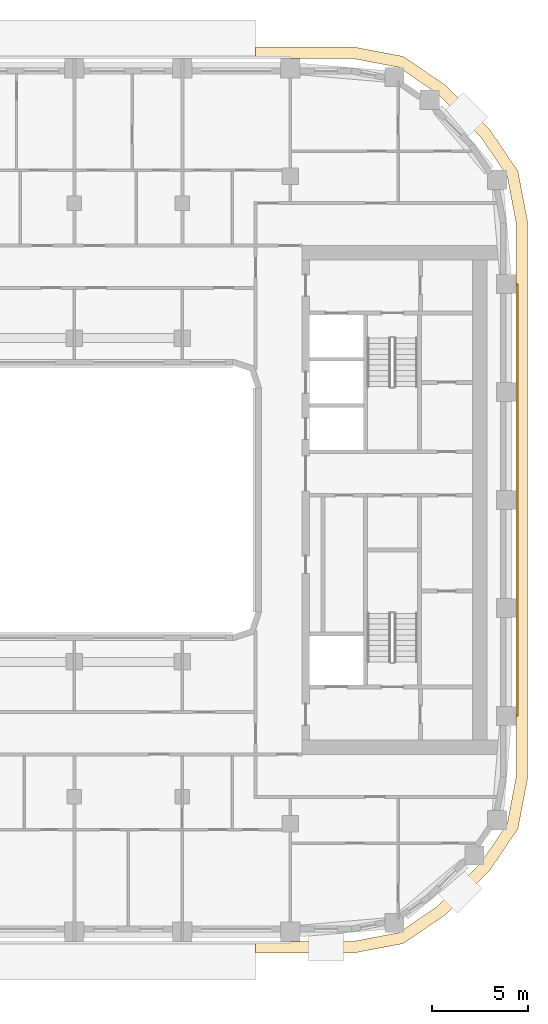
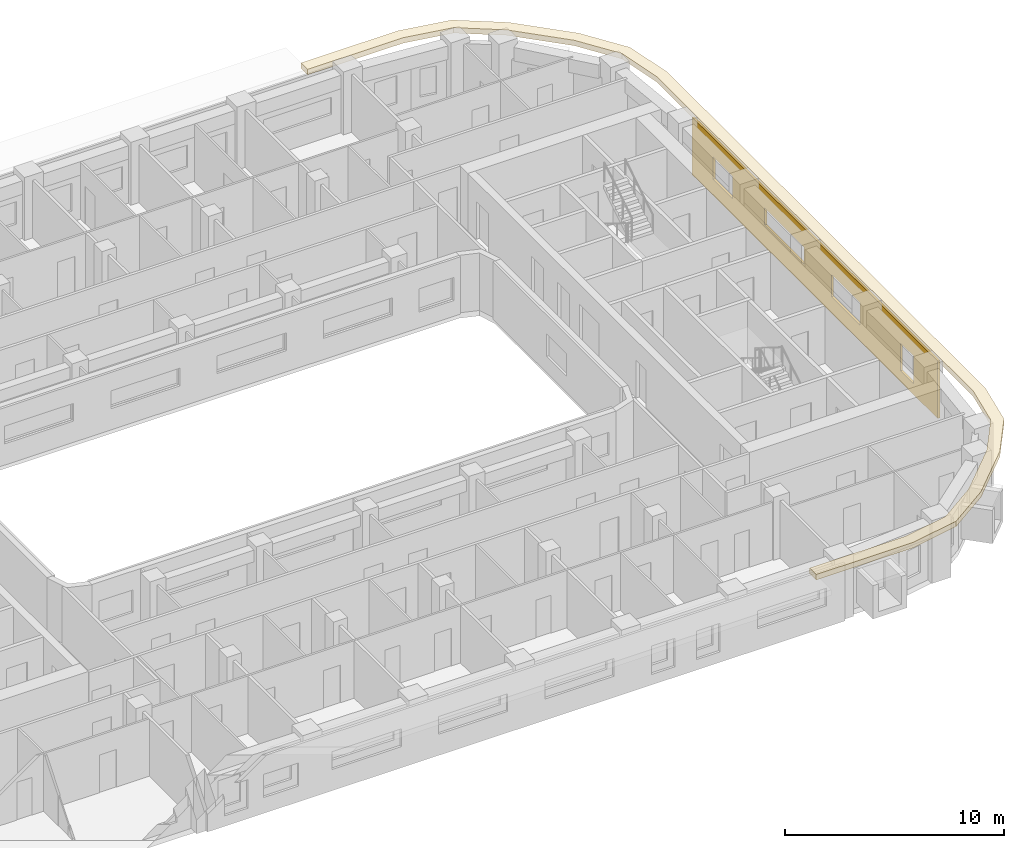
# One storey, part 18 of 22: 2 coverings.
"""IFC4 building model written with IfcOpenShell, lengths in metres."""

import ifcopenshell
import ifcopenshell.guid

model = None  # the IFC model being written
_history = None  # IfcOwnerHistory: only IFC2X3 demands one
_inside = {}  # id of a spatial element -> (the spatial element, [elements in it])
_under = {}  # id of a project, library or spatial element -> (it, [spatial elements below it])
_declared = {}  # id of a project -> (the project, [libraries it declares])
_typed = {}  # id of a type object -> (the type object, [elements of that type])
_made_of = {}  # id of a material, layer set ... -> (it, [elements and type objects made of it])


def new_model(schema):
    """Start an empty IFC model of exactly this schema.

    Asked for "IFC4X3", IfcOpenShell would pick the latest addendum, in which some entities
    have other attributes; the version numbers below select the first issue.
    IFC2X3 requires an IfcOwnerHistory on every rooted entity: one is made here for all.
    """
    global model, _history
    if schema == "IFC4X3":
        model = ifcopenshell.file(schema_version=(4, 3, 0, 0))
    else:
        model = ifcopenshell.file(schema=schema)
    _inside.clear()
    _under.clear()
    _declared.clear()
    _typed.clear()
    _made_of.clear()
    _history = None
    if model.schema == "IFC2X3":
        org = make("IfcOrganization", Name="unknown")
        user = make(
            "IfcPersonAndOrganization",
            ThePerson=make("IfcPerson", FamilyName="unknown"),
            TheOrganization=org,
        )
        app = make(
            "IfcApplication",
            ApplicationDeveloper=org,
            Version="unknown",
            ApplicationFullName="unknown",
            ApplicationIdentifier="unknown",
        )
        _history = make(
            "IfcOwnerHistory",
            OwningUser=user,
            OwningApplication=app,
            ChangeAction="ADDED",
            CreationDate=0,
        )
    return model


def make(cls, **values):
    """One entity of the class cls with the attributes given. An attribute that is None is left unset."""
    return model.create_entity(
        cls, **{name: value for name, value in values.items() if value is not None}
    )


def rooted(cls, **values):
    """An entity with a GlobalId (a new one), such as an element, a storey or a relation."""
    return make(cls, GlobalId=ifcopenshell.guid.new(), OwnerHistory=_history, **values)


def si_unit(unit_type, name, prefix=None):
    """IfcSIUnit, for example si_unit("LENGTHUNIT", "METRE", prefix="MILLI")."""
    return make("IfcSIUnit", UnitType=unit_type, Prefix=prefix, Name=name)


def assignment(units):
    """IfcUnitAssignment: the units of a project."""
    return None if units is None else make("IfcUnitAssignment", Units=units)


def point(xyz):
    """IfcCartesianPoint."""
    return None if xyz is None else make("IfcCartesianPoint", Coordinates=xyz)


def direction(xyz):
    """IfcDirection."""
    return None if xyz is None else make("IfcDirection", DirectionRatios=xyz)


def frame(location, z_axis=None, x_axis=None):
    """IfcAxis2Placement3D, a coordinate frame: its origin and axes. An axis left out is left unset."""
    return make(
        "IfcAxis2Placement3D",
        Location=point(location),
        Axis=direction(z_axis),
        RefDirection=direction(x_axis),
    )


def origin():
    """The frame at (0, 0, 0) with its axes left unset."""
    return frame((0.0, 0.0, 0.0))


def place(relative_to, where):
    """IfcLocalPlacement: puts the frame where relative to a parent placement (None: the world)."""
    return make(
        "IfcLocalPlacement", PlacementRelTo=relative_to, RelativePlacement=where
    )


def context(
    kind, dimensions, precision=None, world=None, true_north=None, identifier=None
):
    """IfcGeometricRepresentationContext, for example the 3D "Model" context."""
    return make(
        "IfcGeometricRepresentationContext",
        ContextIdentifier=identifier,
        ContextType=kind,
        CoordinateSpaceDimension=dimensions,
        Precision=precision,
        WorldCoordinateSystem=world,
        TrueNorth=true_north,
    )


def subcontext(parent, identifier, kind, view, scale=None):
    """IfcGeometricRepresentationSubContext, for example "Body" below "Model"."""
    return make(
        "IfcGeometricRepresentationSubContext",
        ContextIdentifier=identifier,
        ContextType=kind,
        ParentContext=parent,
        TargetScale=scale,
        TargetView=view,
    )


def project(units=None, contexts=None):
    """IfcProject with its units and contexts."""
    return rooted(
        "IfcProject",
        Name="project",
        RepresentationContexts=contexts,
        UnitsInContext=assignment(units),
    )


def spatial(cls, under=None, at=None, **own):
    """A site, building, storey or space (cls), placed at a placement, below another one or the project."""
    s = rooted(cls, ObjectPlacement=at, **own)
    if under is not None:
        _under.setdefault(under.id(), (under, []))[1].append(s)
    return s


def polyline(points):
    """IfcPolyline through the points."""
    return make("IfcPolyline", Points=[point(p) for p in points])


def outline(outer, holes=None, kind="AREA"):
    """IfcArbitraryClosedProfileDef: a profile drawn as a closed curve; with holes, ...WithVoids."""
    if holes is None:
        return make("IfcArbitraryClosedProfileDef", ProfileType=kind, OuterCurve=outer)
    return make(
        "IfcArbitraryProfileDefWithVoids",
        ProfileType=kind,
        OuterCurve=outer,
        InnerCurves=holes,
    )


def extrude(swept, where, along, depth):
    """IfcExtrudedAreaSolid: the profile swept, set in the frame where, extruded along a direction by depth."""
    return make(
        "IfcExtrudedAreaSolid",
        SweptArea=swept,
        Position=where,
        ExtrudedDirection=direction(along),
        Depth=depth,
    )


def shape(context_of_items, identifier, shape_type, items):
    """IfcShapeRepresentation: the items that make up one representation, for example the "Body"."""
    return make(
        "IfcShapeRepresentation",
        ContextOfItems=context_of_items,
        RepresentationIdentifier=identifier,
        RepresentationType=shape_type,
        Items=items,
    )


def material(Name=None, Category=None):
    """IfcMaterial."""
    return make("IfcMaterial", Name=Name, Category=Category)


def layer(
    of_material, thickness, ventilated=None, Name=None, Category=None, Priority=None
):
    """IfcMaterialLayer: one layer of a wall or slab, of a material (None: an air gap)."""
    return make(
        "IfcMaterialLayer",
        Material=of_material,
        LayerThickness=thickness,
        IsVentilated=ventilated,
        Name=Name,
        Category=Category,
        Priority=Priority,
    )


def layer_set(layers, Name=None):
    """IfcMaterialLayerSet."""
    return make("IfcMaterialLayerSet", MaterialLayers=layers, LayerSetName=Name)


def made_of(thing, what):
    """Note that an element or type object is made of a material, layer set ...; save() writes the relation."""
    if what is not None:
        _made_of.setdefault(what.id(), (what, []))[1].append(thing)
    return thing


def type_object(cls, material=None, **own):
    """A type object (cls), such as IfcWallType, which elements share."""
    return made_of(rooted(cls, **own), material)


def element(
    cls,
    number,
    at=None,
    inside=None,
    cuts=None,
    type_object=None,
    material=None,
    context=None,
    identifier="Body",
    shape_type=None,
    held_by="IfcProductDefinitionShape",
    body=None,
    shapes=None,
    **own,
):
    """One element of the class cls, such as IfcWall. Its Tag is "e" and its number.

    at: its placement. inside: the storey or other place that contains it. cuts: it is an
    opening in that element (IfcRelVoidsElement). A single representation is given by context,
    identifier, shape_type and body (its items); several are given by shapes. held_by: the class
    of the entity that holds the representations. save() writes the other relations.
    """
    e = rooted(cls, Tag="e%d" % number, ObjectPlacement=at, **own)
    if body is not None:
        shapes = [shape(context, identifier, shape_type, body)]
    if shapes is not None:
        e.Representation = make(held_by, Representations=shapes)
    if inside is not None:
        _inside.setdefault(inside.id(), (inside, []))[1].append(e)
    if cuts is not None:
        rooted(
            "IfcRelVoidsElement", RelatingBuildingElement=cuts, RelatedOpeningElement=e
        )
    if type_object is not None:
        _typed.setdefault(type_object.id(), (type_object, []))[1].append(e)
    return made_of(e, material)


def aggregate(whole, parts):
    """IfcRelAggregates: a whole, such as a stair, and the parts it consists of."""
    return rooted("IfcRelAggregates", RelatingObject=whole, RelatedObjects=parts)


def save(model, path):
    """Write the relations noted so far, then the file.

    IfcRelAggregates (storeys below a building ...), IfcRelContainedInSpatialStructure (elements
    in a storey), IfcRelDefinesByType, IfcRelAssociatesMaterial and IfcRelDeclares: one each for
    every whole, place, type object, material and project.
    """
    for whole, parts in _under.values():
        aggregate(whole, parts)
    for where, things in _inside.values():
        rooted(
            "IfcRelContainedInSpatialStructure",
            RelatedElements=things,
            RelatingStructure=where,
        )
    for kind, things in _typed.values():
        rooted("IfcRelDefinesByType", RelatedObjects=things, RelatingType=kind)
    for what, things in _made_of.values():
        rooted("IfcRelAssociatesMaterial", RelatedObjects=things, RelatingMaterial=what)
    for by, libraries in _declared.values():
        rooted("IfcRelDeclares", RelatingContext=by, RelatedDefinitions=libraries)
    model.write(path)


model = new_model("IFC4")

# Units and contexts
model_context = context("Model", 3, precision=1e-05, world=origin(), true_north=direction((0.0, 1.0)))
body_context = subcontext(model_context, "Body", "Model", "MODEL_VIEW")
ifc_project = project(units=[si_unit("LENGTHUNIT", "METRE"), si_unit("AREAUNIT", "SQUARE_METRE"), si_unit("VOLUMEUNIT", "CUBIC_METRE"), si_unit("PLANEANGLEUNIT", "RADIAN"), si_unit("MASSUNIT", "GRAM", prefix="KILO")], contexts=[model_context])

# Site, building, storey
site_placement = place(None, origin())
site = spatial("IfcSite", under=ifc_project, at=site_placement, CompositionType="ELEMENT")
building_placement = place(site_placement, origin())
building = spatial("IfcBuilding", under=site, at=building_placement, Name="Kiln Ring Residences", CompositionType="ELEMENT")
storey_placement = place(building_placement, frame((0.0, 0.0, 164.10009765625)))
storey = spatial("IfcBuildingStorey", under=building, at=storey_placement, Name="L42", CompositionType="ELEMENT", Elevation=164.10009765625)

# Coverings
ifc_material_1 = material(Name="Brick masonry, dark clay brick", Category="masonry")
ifc_layer_1 = layer(ifc_material_1, 0.1201171875)
ifc_layer_set_1 = layer_set([ifc_layer_1], Name="RAINSCREEN PANEL 120")
covering_type_1 = type_object("IfcCoveringType", Name="RAINSCREEN PANEL 120", PredefinedType="CLADDING", material=ifc_layer_set_1)
covering_1_placement = place(storey_placement, frame((28.56005859375, -11.199951171875, 0.0), z_axis=(0.0, 0.0, 1.0), x_axis=(0.0, 1.0, 0.0)))
element("IfcCovering", 1, at=covering_1_placement, inside=storey, type_object=covering_type_1, Name="RAINSCREEN L42", PredefinedType="CLADDING", context=body_context, shape_type="SweptSolid", body=[
    extrude(outline(polyline([(0.0, 0.0), (22.39990234375, 0.0), (22.39990234375, 3.199951171875), (0.0, 3.199951171875), (0.0, 0.0)]), holes=[polyline([(3.39990234375, 0.599853515625), (3.39990234375, 2.14990234375), (2.199951171875, 2.14990234375), (2.199951171875, 0.599853515625), (3.39990234375, 0.599853515625)]), polyline([(9.699951171875, 0.89990234375), (9.699951171875, 2.14990234375), (7.10009765625, 2.14990234375), (7.10009765625, 0.89990234375), (9.699951171875, 0.89990234375)]), polyline([(20.5, 0.89990234375), (20.5, 2.14990234375), (18.699951171875, 2.14990234375), (18.699951171875, 0.89990234375), (20.5, 0.89990234375)]), polyline([(15.800048828125, 1.199951171875), (15.800048828125, 2.14990234375), (12.199951171875, 2.14990234375), (12.199951171875, 1.199951171875), (15.800048828125, 1.199951171875)])]), frame((0.0, 0.06005859375, 0.0), z_axis=(0.0, -1.0, 0.0), x_axis=(1.0, 0.0, 0.0)), (0.0, 0.0, 1.0), 0.1201171875),
])
ifc_material_2 = material(Name="Black powder-coated steel", Category="steel")
ifc_layer_2 = layer(ifc_material_2, 0.300048828125)
ifc_layer_set_2 = layer_set([ifc_layer_2], Name="SUNSHADE FIN 600")
covering_type_2 = type_object("IfcCoveringType", Name="SUNSHADE FIN 600", PredefinedType="CLADDING", material=ifc_layer_set_2)
covering_2_placement = place(storey_placement, frame((0.0, 0.0, 3.199951171875)))
element("IfcCovering", 2, at=covering_2_placement, inside=storey, type_object=covering_type_2, Name="SUNSHADE FIN L42", PredefinedType="CLADDING", context=body_context, shape_type="SweptSolid", body=[
    extrude(outline(polyline([(20.10400390625, 23.5), (15.0, 23.5), (15.0, 22.89990234375), (20.04736328125, 22.89990234375), (22.419677734375, 22.447509765625), (24.417236328125, 21.08984375), (26.68994140625, 18.817138671875), (28.047607421875, 16.819580078125), (28.5, 14.447265625), (28.5, -14.447265625), (28.047607421875, -16.819580078125), (26.68994140625, -18.817138671875), (24.417236328125, -21.08984375), (22.419677734375, -22.447509765625), (20.04736328125, -22.89990234375), (15.0, -22.89990234375), (15.0, -23.5), (20.10400390625, -23.5), (22.654052734375, -23.013671875), (24.801513671875, -21.55419921875), (27.154296875, -19.201416015625), (28.613525390625, -17.05419921875), (29.10009765625, -14.50390625), (29.10009765625, 14.50390625), (28.613525390625, 17.05419921875), (27.154296875, 19.201416015625), (24.801513671875, 21.55419921875), (22.654052734375, 23.013671875), (20.10400390625, 23.5)])), origin(), (0.0, 0.0, 1.0), 0.300048828125),
])

save(model, "model.ifc")
